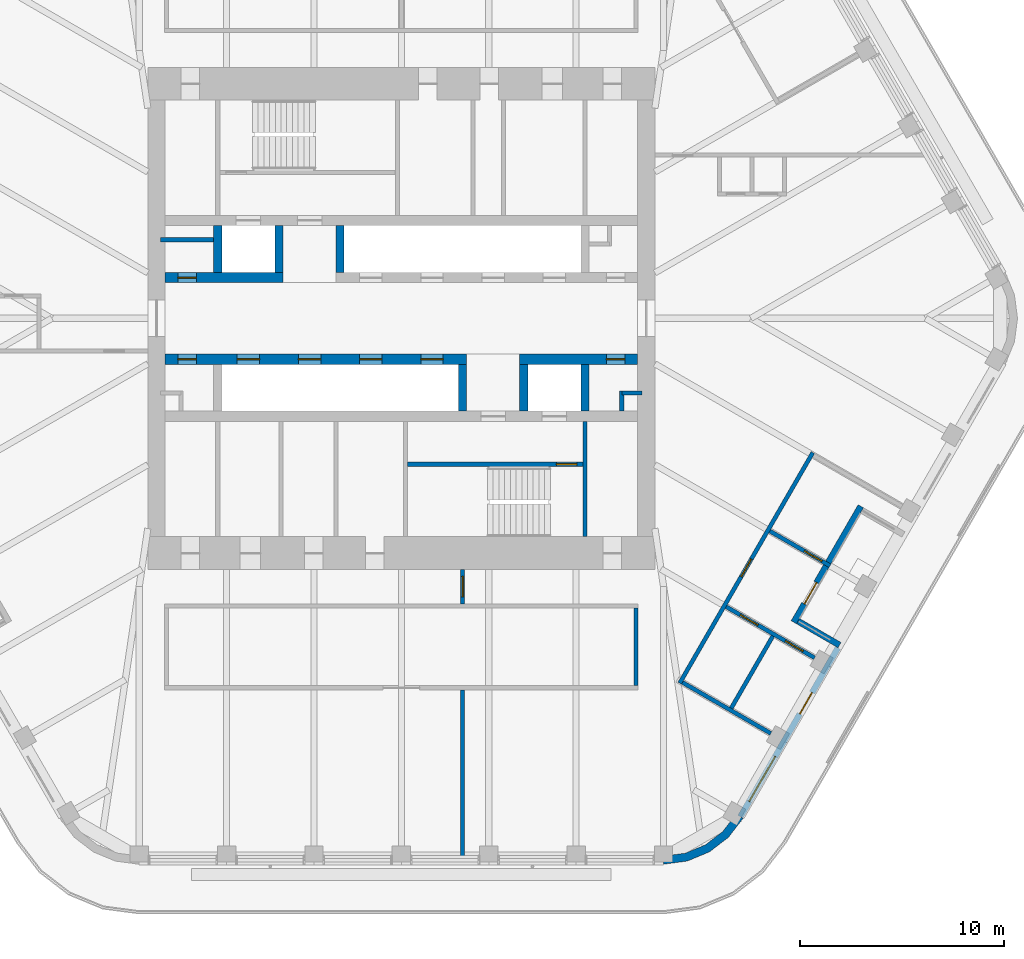
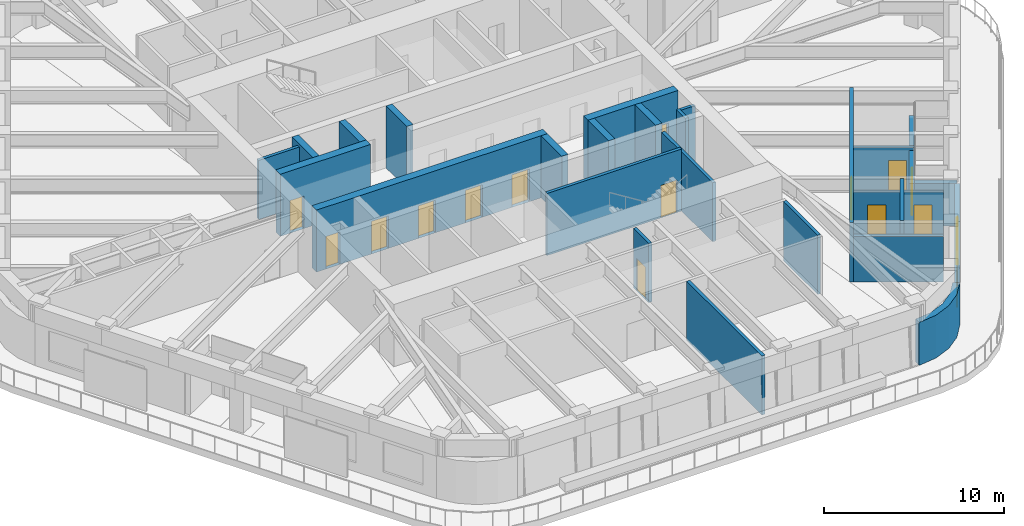
# One storey, part 14 of 19: 26 walls, 15 doors, 1 window, 16 openings.
"""IFC4 building model written with IfcOpenShell, lengths in metres."""

from ifc_helpers import new_model, si_unit, direction, frame, frame_2d, origin, place, context, subcontext, project, spatial, polyline, rectangle, outline, extrude, material, layer, layer_set, type_object, element, fill, save


model = new_model("IFC4")

# Units and contexts
model_context = context("Model", 3, precision=1e-05, world=origin(), true_north=direction((0.0, 1.0)))
body_context = subcontext(model_context, "Body", "Model", "MODEL_VIEW")
ifc_project = project(units=[si_unit("LENGTHUNIT", "METRE"), si_unit("AREAUNIT", "SQUARE_METRE"), si_unit("VOLUMEUNIT", "CUBIC_METRE"), si_unit("PLANEANGLEUNIT", "RADIAN"), si_unit("MASSUNIT", "GRAM", prefix="KILO")], contexts=[model_context])

# Site, building, storey
site_placement = place(None, origin())
site = spatial("IfcSite", under=ifc_project, at=site_placement, CompositionType="ELEMENT")
building_placement = place(site_placement, origin())
building = spatial("IfcBuilding", under=site, at=building_placement, Name="Tarfa Lantern Tower", CompositionType="ELEMENT")
storey_placement = place(building_placement, frame((0.0, 0.0, 357.699951171875)))
storey = spatial("IfcBuildingStorey", under=building, at=storey_placement, Name="L81", CompositionType="ELEMENT", Elevation=357.699951171875)

# Wall, openings, door, window
ifc_material_1 = material(Name="Limestone cladding on blockwork", Category="masonry")
ifc_layer_1 = layer(ifc_material_1, 0.300048828125)
ifc_layer_set_1 = layer_set([ifc_layer_1], Name="EW1 STONE-CLAD WALL 300")
wall_type_1 = type_object("IfcWallType", Name="EW1 STONE-CLAD WALL 300", PredefinedType="SOLIDWALL", material=ifc_layer_set_1)
wall_1_placement = place(storey_placement, frame((16.61328125, -24.425048828125, 0.0), z_axis=(0.0, 0.0, 1.0), x_axis=(0.499996453679, 0.866027451244, 0.0)))
wall_1 = element("IfcWall", 1, at=wall_1_placement, inside=storey, type_object=wall_type_1, Name="Stone wall SE", PredefinedType="SOLIDWALL", context=body_context, shape_type="SweptSolid", body=[
    extrude(rectangle(XDim=9.56396484375, YDim=0.300048828125, at=frame_2d((4.781982421875, 0.0))), origin(), (0.0, 0.0, 1.0), 2.900146484375),
])
opening_1_placement = place(wall_1_placement, frame((0.865966796875, 0.0, 0.60009765625)))
opening_1 = element("IfcOpeningElement", 2, at=opening_1_placement, cuts=wall_1, Name="Opening W17", PredefinedType="OPENING", context=body_context, shape_type="SweptSolid", body=[
    extrude(rectangle(XDim=2.550048828125, YDim=2.050048828125, at=frame_2d((1.27490234375, 1.02490234375))), frame((0.0, 0.159912109375, 0.0), z_axis=(0.0, -1.0, 0.0), x_axis=(1.0, 0.0, 0.0)), (0.0, 0.0, 1.0), 0.320068359375),
])
opening_2_placement = place(wall_1_placement, frame((5.822998046875, 0.0, 0.0)))
opening_2 = element("IfcOpeningElement", 3, at=opening_2_placement, cuts=wall_1, Name="Opening D40", PredefinedType="OPENING", context=body_context, shape_type="SweptSolid", body=[
    extrude(rectangle(XDim=1.199951171875, YDim=2.39990234375, at=frame_2d((0.60009765625, 1.199951171875))), frame((0.0, 0.159912109375, 0.0), z_axis=(0.0, -1.0, 0.0), x_axis=(1.0, 0.0, 0.0)), (0.0, 0.0, 1.0), 0.320068359375),
])
ifc_material_2 = material(Name="Aluminium framed glazed door", Category="aluminium")
door_type_1 = type_object("IfcDoorType", Name="BE3 BALCONY DOOR 1200x2400", OperationType="SINGLE_SWING_RIGHT", PredefinedType="DOOR", material=ifc_material_2)
door_1_placement = place(opening_2_placement, origin())
door_1 = element("IfcDoor", 4, at=door_1_placement, inside=storey, type_object=door_type_1, Name="Balcony door SE", OperationType="SINGLE_SWING_LEFT", OverallHeight=2.39990234375, OverallWidth=1.199951171875, PredefinedType="DOOR", context=body_context, shape_type="SweptSolid", body=[
    extrude(rectangle(XDim=1.199951171875, YDim=2.39990234375, at=frame_2d((0.60009765625, 1.199951171875))), frame((0.0, 0.02490234375, 0.0), z_axis=(0.0, -1.0, 0.0), x_axis=(1.0, 0.0, 0.0)), (0.0, 0.0, 1.0), 0.050048828125),
])
fill(opening_2, door_1)
ifc_material_3 = material(Name="Aluminium frame, double glazed", Category="aluminium")
window_type = type_object("IfcWindowType", Name="W17 FULL-HEIGHT GLAZING 2550x2050", PartitioningType="SINGLE_PANEL", PredefinedType="WINDOW", material=ifc_material_3)
window_placement = place(opening_1_placement, origin())
window = element("IfcWindow", 5, at=window_placement, inside=storey, type_object=window_type, Name="Window SE 1", OverallHeight=2.050048828125, OverallWidth=2.550048828125, PartitioningType="SINGLE_PANEL", PredefinedType="WINDOW", context=body_context, shape_type="SweptSolid", body=[
    extrude(rectangle(XDim=2.550048828125, YDim=2.050048828125, at=frame_2d((1.27490234375, 1.02490234375))), frame((0.0, 0.030029296875, 0.0), z_axis=(0.0, -1.0, 0.0), x_axis=(1.0, 0.0, 0.0)), (0.0, 0.0, 1.0), 0.06005859375),
])
fill(opening_1, window)

# Wall
wall_2_placement = place(storey_placement, frame((21.47021484375, -16.012451171875, 0.0), z_axis=(0.0, 0.0, 1.0), x_axis=(-0.866016039709, 0.500016218704, 0.0)))
element("IfcWall", 6, at=wall_2_placement, inside=storey, type_object=wall_type_1, Name="Terrace return SE 1", PredefinedType="SOLIDWALL", context=body_context, shape_type="SweptSolid", body=[
    extrude(rectangle(XDim=2.35009765625, YDim=0.300048828125, at=frame_2d((1.175048828125, 0.0))), origin(), (0.0, 0.0, 1.0), 2.900146484375),
])

# Wall, opening, door
wall_3_placement = place(storey_placement, frame((19.230224609375, -14.892333984375, 0.0), z_axis=(0.0, 0.0, 1.0), x_axis=(0.499999339774, 0.866025784966, 0.0)))
wall_3 = element("IfcWall", 7, at=wall_3_placement, inside=storey, type_object=wall_type_1, Name="Stone wall SES", PredefinedType="SOLIDWALL", context=body_context, shape_type="SweptSolid", body=[
    extrude(rectangle(XDim=6.56396484375, YDim=0.300048828125, at=frame_2d((3.281982421875, 0.0))), origin(), (0.0, 0.0, 1.0), 2.900146484375),
])
opening_3_placement = place(wall_3_placement, frame((1.041015625, 0.0, 0.0)))
opening_3 = element("IfcOpeningElement", 8, at=opening_3_placement, cuts=wall_3, Name="Opening D41", PredefinedType="OPENING", context=body_context, shape_type="SweptSolid", body=[
    extrude(rectangle(XDim=1.199951171875, YDim=2.39990234375, at=frame_2d((0.60009765625, 1.199951171875))), frame((0.0, 0.159912109375, 0.0), z_axis=(0.0, -1.0, 0.0), x_axis=(1.0, 0.0, 0.0)), (0.0, 0.0, 1.0), 0.320068359375),
])
door_2_placement = place(opening_3_placement, origin())
door_2 = element("IfcDoor", 9, at=door_2_placement, inside=storey, type_object=door_type_1, Name="Balcony door SES", OperationType="SINGLE_SWING_LEFT", OverallHeight=2.39990234375, OverallWidth=1.199951171875, PredefinedType="DOOR", context=body_context, shape_type="SweptSolid", body=[
    extrude(rectangle(XDim=1.199951171875, YDim=2.39990234375, at=frame_2d((0.60009765625, 1.199951171875))), frame((0.0, 0.02490234375, 0.0), z_axis=(0.0, -1.0, 0.0), x_axis=(1.0, 0.0, 0.0)), (0.0, 0.0, 1.0), 0.050048828125),
])
fill(opening_3, door_2)

# Walls
ifc_layer_2 = layer(ifc_material_1, 0.39990234375)
ifc_layer_set_2 = layer_set([ifc_layer_2], Name="EW2 CURVED STONE CORNER 400")
wall_type_2 = type_object("IfcWallType", Name="EW2 CURVED STONE CORNER 400", PredefinedType="SOLIDWALL", material=ifc_layer_set_2)
wall_4_placement = place(storey_placement, origin())
element("IfcWall", 10, at=wall_4_placement, inside=storey, type_object=wall_type_2, Name="Stone corner S-SE", PredefinedType="SOLIDWALL", context=body_context, shape_type="SweptSolid", body=[
    extrude(outline(polyline([(12.845947265625, -26.75), (14.0107421875, -26.5966796875), (15.095947265625, -26.147216796875), (16.028076171875, -25.431884765625), (16.7431640625, -24.5), (16.396728515625, -24.300048828125), (15.7451171875, -25.149169921875), (14.89599609375, -25.80078125), (13.9072265625, -26.210205078125), (12.845947265625, -26.35009765625), (12.845947265625, -26.75)])), origin(), (0.0, 0.0, 1.0), 2.900146484375),
])
ifc_material_4 = material(Name="Concrete blockwork", Category="masonry")
ifc_layer_3 = layer(ifc_material_4, 0.199951171875)
ifc_layer_set_3 = layer_set([ifc_layer_3], Name="IW1 BLOCKWORK PARTITION 200 EI 120")
wall_type_3 = type_object("IfcWallType", Name="IW1 BLOCKWORK PARTITION 200 EI 120", PredefinedType="PARTITIONING", material=ifc_layer_set_3)
wall_5_placement = place(storey_placement, frame((9.0, -5.050048828125, 0.0), z_axis=(0.0, 0.0, 1.0), x_axis=(0.0, -1.0, 0.0)))
element("IfcWall", 11, at=wall_5_placement, inside=storey, type_object=wall_type_3, Name="Core partition", PredefinedType="PARTITIONING", context=body_context, shape_type="SweptSolid", body=[
    extrude(rectangle(XDim=5.64990234375, YDim=0.199951171875, at=frame_2d((2.824951171875, 0.0))), origin(), (0.0, 0.0, 1.0), 4.0),
])
wall_6_placement = place(storey_placement, frame((-11.800048828125, 3.85009765625, 0.0), z_axis=(0.0, 0.0, 1.0), x_axis=(1.0, 0.0, 0.0)))
element("IfcWall", 12, at=wall_6_placement, inside=storey, type_object=wall_type_3, Name="Core partition", PredefinedType="PARTITIONING", context=body_context, shape_type="SweptSolid", body=[
    extrude(rectangle(XDim=2.60009765625, YDim=0.199951171875, at=frame_2d((1.300048828125, 0.0))), origin(), (0.0, 0.0, 1.0), 4.0),
])
for number, where, z_axis, x_axis, name in (
    (13, (11.800048828125, -3.64990234375, 0.0), (0.0, 0.0, 1.0), (-1.0, 0.0, 0.0), "Core partition"),
    (14, (10.800048828125, -3.550048828125, 0.0), (0.0, 0.0, 1.0), (0.0, -1.0, 0.0), "Core partition"),
):
    element("IfcWall", number, at=place(storey_placement, frame(where, z_axis=z_axis, x_axis=x_axis)), inside=storey, type_object=wall_type_3, Name=name, PredefinedType="PARTITIONING", context=body_context, shape_type="SweptSolid", body=[
        extrude(rectangle(XDim=1.0, YDim=0.199951171875, at=frame_2d((0.5, 0.0))), origin(), (0.0, 0.0, 1.0), 4.0),
    ])
ifc_material_5 = material(Name="Gypsum board on steel studs", Category="steel")
ifc_layer_4 = layer(ifc_material_5, 0.2099609375)
ifc_layer_set_4 = layer_set([ifc_layer_4], Name="IW2 ACOUSTIC PARTITION 200")
wall_type_4 = type_object("IfcWallType", Name="IW2 ACOUSTIC PARTITION 200", PredefinedType="PARTITIONING", material=ifc_layer_set_4)
wall_7_placement = place(storey_placement, frame((11.5, -14.199951171875, 0.0), z_axis=(0.0, 0.0, 1.0), x_axis=(0.0, -1.0, 0.0)))
element("IfcWall", 15, at=wall_7_placement, inside=storey, type_object=wall_type_4, Name="Partition", PredefinedType="PARTITIONING", context=body_context, shape_type="SweptSolid", body=[
    extrude(rectangle(XDim=3.800048828125, YDim=0.199951171875, at=frame_2d((1.89990234375, 0.0))), origin(), (0.0, 0.0, 1.0), 4.0),
])

# Wall, opening, door
wall_8_placement = place(storey_placement, frame((13.637939453125, -17.878173828125, 0.0), z_axis=(0.0, 0.0, 1.0), x_axis=(0.500013496215, 0.866017611601, 0.0)))
wall_8 = element("IfcWall", 16, at=wall_8_placement, inside=storey, type_object=wall_type_4, Name="Partition", PredefinedType="PARTITIONING", context=body_context, shape_type="SweptSolid", body=[
    extrude(rectangle(XDim=13.046142578125, YDim=0.199951171875, at=frame_2d((6.52294921875, 0.0))), origin(), (0.0, 0.0, 1.0), 4.0),
])
opening_4_placement = place(wall_8_placement, frame((6.02294921875, 0.0, 0.0)))
opening_4 = element("IfcOpeningElement", 17, at=opening_4_placement, cuts=wall_8, Name="Opening D23", PredefinedType="OPENING", context=body_context, shape_type="SweptSolid", body=[
    extrude(rectangle(XDim=1.0, YDim=2.199951171875, at=frame_2d((0.5, 1.10009765625))), frame((0.0, 0.10986328125, 0.0), z_axis=(0.0, -1.0, 0.0), x_axis=(1.0, 0.0, 0.0)), (0.0, 0.0, 1.0), 0.219970703125),
])
ifc_material_6 = material(Name="Timber door", Category="wood")
door_type_2 = type_object("IfcDoorType", Name="DR1 ROOM DOOR 1000x2200", OperationType="SINGLE_SWING_LEFT", PredefinedType="DOOR", material=ifc_material_6)
door_3_placement = place(opening_4_placement, frame((1.0, 0.0, 0.0), z_axis=(0.0, 0.0, 1.0), x_axis=(-1.0, 0.0, 0.0)))
door_3 = element("IfcDoor", 18, at=door_3_placement, inside=storey, type_object=door_type_2, Name="PA area door", OperationType="SINGLE_SWING_LEFT", OverallHeight=2.199951171875, OverallWidth=1.0, PredefinedType="DOOR", context=body_context, shape_type="SweptSolid", body=[
    extrude(rectangle(XDim=1.0, YDim=2.199951171875, at=frame_2d((0.5, 1.10009765625))), frame((0.0, 0.02490234375, 0.0), z_axis=(0.0, -1.0, 0.0), x_axis=(1.0, 0.0, 0.0)), (0.0, 0.0, 1.0), 0.050048828125),
])
fill(opening_4, door_3)

# Wall
wall_9_placement = place(storey_placement, frame((13.774658203125, -17.841552734375, 0.0), z_axis=(0.0, 0.0, 1.0), x_axis=(0.866022959057, -0.500004234368, 0.0)))
element("IfcWall", 19, at=wall_9_placement, inside=storey, type_object=wall_type_4, Name="Partition", PredefinedType="PARTITIONING", context=body_context, shape_type="SweptSolid", body=[
    extrude(rectangle(XDim=5.0, YDim=0.199951171875, at=frame_2d((2.5, 0.0))), origin(), (0.0, 0.0, 1.0), 3.08154296875),
])

# Wall, openings, doors
wall_10_placement = place(storey_placement, frame((15.91552734375, -14.13330078125, 0.0), z_axis=(0.0, 0.0, 1.0), x_axis=(0.866035165624, -0.499983091616, 0.0)))
wall_10 = element("IfcWall", 20, at=wall_10_placement, inside=storey, type_object=wall_type_4, Name="Partition", PredefinedType="PARTITIONING", context=body_context, shape_type="SweptSolid", body=[
    extrude(rectangle(XDim=5.000244140625, YDim=0.199951171875, at=frame_2d((2.5, 0.0))), origin(), (0.0, 0.0, 1.0), 3.08154296875),
])
opening_5_placement = place(wall_10_placement, frame((0.800048828125, 0.0, 0.0)))
opening_5 = element("IfcOpeningElement", 21, at=opening_5_placement, cuts=wall_10, Name="Opening D25", PredefinedType="OPENING", context=body_context, shape_type="SweptSolid", body=[
    extrude(rectangle(XDim=1.0, YDim=2.199951171875, at=frame_2d((0.5, 1.10009765625))), frame((0.0, 0.10986328125, 0.0), z_axis=(0.0, -1.0, 0.0), x_axis=(1.0, 0.0, 0.0)), (0.0, 0.0, 1.0), 0.219970703125),
])
opening_6_placement = place(wall_10_placement, frame((3.35009765625, 0.0, 0.0)))
opening_6 = element("IfcOpeningElement", 22, at=opening_6_placement, cuts=wall_10, Name="Opening D26", PredefinedType="OPENING", context=body_context, shape_type="SweptSolid", body=[
    extrude(rectangle(XDim=1.0, YDim=2.199951171875, at=frame_2d((0.5, 1.10009765625))), frame((0.0, 0.10986328125, 0.0), z_axis=(0.0, -1.0, 0.0), x_axis=(1.0, 0.0, 0.0)), (0.0, 0.0, 1.0), 0.219970703125),
])
door_4_placement = place(opening_5_placement, frame((1.0, 0.0, 0.0), z_axis=(0.0, 0.0, 1.0), x_axis=(-1.0, 0.0, 0.0)))
door_4 = element("IfcDoor", 23, at=door_4_placement, inside=storey, type_object=door_type_2, Name="Pantry door", OperationType="SINGLE_SWING_LEFT", OverallHeight=2.199951171875, OverallWidth=1.0, PredefinedType="DOOR", context=body_context, shape_type="SweptSolid", body=[
    extrude(rectangle(XDim=1.0, YDim=2.199951171875, at=frame_2d((0.5, 1.10009765625))), frame((0.0, 0.02490234375, 0.0), z_axis=(0.0, -1.0, 0.0), x_axis=(1.0, 0.0, 0.0)), (0.0, 0.0, 1.0), 0.050048828125),
])
fill(opening_5, door_4)
door_5_placement = place(opening_6_placement, frame((1.0, 0.0, 0.0), z_axis=(0.0, 0.0, 1.0), x_axis=(-1.0, 0.0, 0.0)))
door_5 = element("IfcDoor", 24, at=door_5_placement, inside=storey, type_object=door_type_2, Name="Private lounge door", OperationType="SINGLE_SWING_LEFT", OverallHeight=2.199951171875, OverallWidth=1.0, PredefinedType="DOOR", context=body_context, shape_type="SweptSolid", body=[
    extrude(rectangle(XDim=1.0, YDim=2.199951171875, at=frame_2d((0.5, 1.10009765625))), frame((0.0, 0.02490234375, 0.0), z_axis=(0.0, -1.0, 0.0), x_axis=(1.0, 0.0, 0.0)), (0.0, 0.0, 1.0), 0.050048828125),
])
fill(opening_6, door_5)

# Wall, opening, door
wall_11_placement = place(storey_placement, frame((18.056640625, -10.425048828125, 0.0), z_axis=(0.0, 0.0, 1.0), x_axis=(0.866030179784, -0.499991727635, 0.0)))
wall_11 = element("IfcWall", 25, at=wall_11_placement, inside=storey, type_object=wall_type_4, Name="Partition", PredefinedType="PARTITIONING", context=body_context, shape_type="SweptSolid", body=[
    extrude(rectangle(XDim=3.40087890625, YDim=0.199951171875, at=frame_2d((1.700439453125, 0.0))), origin(), (0.0, 0.0, 1.0), 3.08154296875),
])
opening_7_placement = place(wall_11_placement, frame((1.949951171875, 0.0, 0.0)))
opening_7 = element("IfcOpeningElement", 26, at=opening_7_placement, cuts=wall_11, Name="Opening D24", PredefinedType="OPENING", context=body_context, shape_type="SweptSolid", body=[
    extrude(rectangle(XDim=1.0, YDim=2.199951171875, at=frame_2d((0.5, 1.10009765625))), frame((0.0, 0.10986328125, 0.0), z_axis=(0.0, -1.0, 0.0), x_axis=(1.0, 0.0, 0.0)), (0.0, 0.0, 1.0), 0.219970703125),
])
door_6_placement = place(opening_7_placement, origin())
door_6 = element("IfcDoor", 27, at=door_6_placement, inside=storey, type_object=door_type_2, Name="Executive office door", OperationType="SINGLE_SWING_LEFT", OverallHeight=2.199951171875, OverallWidth=1.0, PredefinedType="DOOR", context=body_context, shape_type="SweptSolid", body=[
    extrude(rectangle(XDim=1.0, YDim=2.199951171875, at=frame_2d((0.5, 1.10009765625))), frame((0.0, 0.02490234375, 0.0), z_axis=(0.0, -1.0, 0.0), x_axis=(1.0, 0.0, 0.0)), (0.0, 0.0, 1.0), 0.050048828125),
])
fill(opening_7, door_6)

# Wall
wall_12_placement = place(storey_placement, frame((16.162841796875, -19.10498046875, 0.0), z_axis=(0.0, 0.0, 1.0), x_axis=(0.499998569178, 0.866026229868, 0.0)))
element("IfcWall", 28, at=wall_12_placement, inside=storey, type_object=wall_type_4, Name="Partition", PredefinedType="PARTITIONING", context=body_context, shape_type="SweptSolid", body=[
    extrude(rectangle(XDim=4.08203125, YDim=0.199951171875, at=frame_2d((2.041015625, 0.0))), origin(), (0.0, 0.0, 1.0), 4.0),
])

# Wall, opening, door
wall_13_placement = place(storey_placement, frame((3.0, -12.300048828125, 0.0), z_axis=(0.0, 0.0, 1.0), x_axis=(0.0, -1.0, 0.0)))
wall_13 = element("IfcWall", 29, at=wall_13_placement, inside=storey, type_object=wall_type_4, Name="Partition", PredefinedType="PARTITIONING", context=body_context, shape_type="SweptSolid", body=[
    extrude(rectangle(XDim=1.699951171875, YDim=0.199951171875, at=frame_2d((0.85009765625, 0.0))), origin(), (0.0, 0.0, 1.0), 4.0),
])
opening_8_placement = place(wall_13_placement, frame((0.35009765625, 0.0, 0.0)))
opening_8 = element("IfcOpeningElement", 30, at=opening_8_placement, cuts=wall_13, Name="Opening D36", PredefinedType="OPENING", context=body_context, shape_type="SweptSolid", body=[
    extrude(rectangle(XDim=1.0, YDim=2.199951171875, at=frame_2d((0.5, 1.10009765625))), frame((0.0, 0.10986328125, 0.0), z_axis=(0.0, -1.0, 0.0), x_axis=(1.0, 0.0, 0.0)), (0.0, 0.0, 1.0), 0.219970703125),
])
door_7_placement = place(opening_8_placement, frame((1.0, 0.0, 0.0), z_axis=(0.0, 0.0, 1.0), x_axis=(-1.0, 0.0, 0.0)))
door_7 = element("IfcDoor", 31, at=door_7_placement, inside=storey, type_object=door_type_2, Name="Zone door", OperationType="SINGLE_SWING_RIGHT", OverallHeight=2.199951171875, OverallWidth=1.0, PredefinedType="DOOR", context=body_context, shape_type="SweptSolid", body=[
    extrude(rectangle(XDim=1.0, YDim=2.199951171875, at=frame_2d((0.5, 1.10009765625))), frame((0.0, 0.02490234375, 0.0), z_axis=(0.0, -1.0, 0.0), x_axis=(1.0, 0.0, 0.0)), (0.0, 0.0, 1.0), 0.050048828125),
])
fill(opening_8, door_7)

# Wall
wall_14_placement = place(storey_placement, frame((3.0, -18.199951171875, 0.0), z_axis=(0.0, 0.0, 1.0), x_axis=(0.0, -1.0, 0.0)))
element("IfcWall", 32, at=wall_14_placement, inside=storey, type_object=wall_type_4, Name="Partition", PredefinedType="PARTITIONING", context=body_context, shape_type="SweptSolid", body=[
    extrude(rectangle(XDim=8.35009765625, YDim=0.199951171875, at=frame_2d((4.175048828125, 0.0))), origin(), (0.0, 0.0, 1.0), 4.0),
])

# Wall, opening, door
ifc_material_7 = material(Name="Concrete C80/95", Category="concrete")
ifc_layer_5 = layer(ifc_material_7, 0.199951171875)
ifc_layer_set_5 = layer_set([ifc_layer_5], Name="SW12 CORE WALL 200")
wall_type_5 = type_object("IfcWallType", Name="SW12 CORE WALL 200", PredefinedType="SHEAR", material=ifc_layer_set_5)
wall_15_placement = place(storey_placement, frame((8.89990234375, -7.14990234375, 0.0), z_axis=(0.0, 0.0, 1.0), x_axis=(-1.0, 0.0, 0.0)))
wall_15 = element("IfcWall", 33, at=wall_15_placement, inside=storey, type_object=wall_type_5, Name="Core wall stair partition S", PredefinedType="SHEAR", context=body_context, shape_type="SweptSolid", body=[
    extrude(rectangle(XDim=8.599853515625, YDim=0.199951171875, at=frame_2d((4.2998046875, 0.0))), origin(), (0.0, 0.0, 1.0), 4.199951171875),
])
opening_9_placement = place(wall_15_placement, frame((0.300048828125, 0.0, 0.0)))
opening_9 = element("IfcOpeningElement", 34, at=opening_9_placement, cuts=wall_15, Name="Opening D20", PredefinedType="OPENING", context=body_context, shape_type="SweptSolid", body=[
    extrude(rectangle(XDim=1.0, YDim=2.199951171875, at=frame_2d((0.5, 1.10009765625))), frame((0.0, 0.10986328125, 0.0), z_axis=(0.0, -1.0, 0.0), x_axis=(1.0, 0.0, 0.0)), (0.0, 0.0, 1.0), 0.219970703125),
])
ifc_material_8 = material(Name="Steel fire door", Category="steel")
door_type_3 = type_object("IfcDoorType", Name="DF2 STAIR DOOR 1000x2200", OperationType="SINGLE_SWING_LEFT", PredefinedType="DOOR", material=ifc_material_8)
door_8_placement = place(opening_9_placement, origin())
door_8 = element("IfcDoor", 35, at=door_8_placement, inside=storey, type_object=door_type_3, Name="Stair door", OperationType="SINGLE_SWING_RIGHT", OverallHeight=2.199951171875, OverallWidth=1.0, PredefinedType="DOOR", context=body_context, shape_type="SweptSolid", body=[
    extrude(rectangle(XDim=1.0, YDim=2.199951171875, at=frame_2d((0.5, 1.10009765625))), frame((0.0, 0.02490234375, 0.0), z_axis=(0.0, -1.0, 0.0), x_axis=(1.0, 0.0, 0.0)), (0.0, 0.0, 1.0), 0.050048828125),
])
fill(opening_9, door_8)

ifc_layer_6 = layer(ifc_material_7, 0.5)
ifc_layer_set_6 = layer_set([ifc_layer_6], Name="SW5 CORE WALL 500")
wall_type_6 = type_object("IfcWallType", Name="SW5 CORE WALL 500", PredefinedType="SHEAR", material=ifc_layer_set_6)
wall_16_placement = place(storey_placement, frame((-11.574951171875, 2.0, 0.0), z_axis=(0.0, 0.0, 1.0), x_axis=(1.0, 0.0, 0.0)))
wall_16 = element("IfcWall", 36, at=wall_16_placement, inside=storey, type_object=wall_type_6, Name="Core wall lobby west N", PredefinedType="SHEAR", context=body_context, shape_type="SweptSolid", body=[
    extrude(rectangle(XDim=5.77490234375, YDim=0.5, at=frame_2d((2.887451171875, 0.0))), origin(), (0.0, 0.0, 1.0), 4.199951171875),
])
opening_10_placement = place(wall_16_placement, frame((0.625, 0.0, 0.0)))
opening_10 = element("IfcOpeningElement", 37, at=opening_10_placement, cuts=wall_16, Name="Opening D11", PredefinedType="OPENING", context=body_context, shape_type="SweptSolid", body=[
    extrude(rectangle(XDim=0.89990234375, YDim=2.199951171875, at=frame_2d((0.449951171875, 1.10009765625))), frame((0.0, 0.260009765625, 0.0), z_axis=(0.0, -1.0, 0.0), x_axis=(1.0, 0.0, 0.0)), (0.0, 0.0, 1.0), 0.52001953125),
])
door_type_4 = type_object("IfcDoorType", Name="DF6 SERVICE ROOM DOOR 900x2200", OperationType="SINGLE_SWING_LEFT", PredefinedType="DOOR", material=ifc_material_8)
door_9_placement = place(opening_10_placement, origin())
door_9 = element("IfcDoor", 38, at=door_9_placement, inside=storey, type_object=door_type_4, Name="Service room door", OperationType="SINGLE_SWING_RIGHT", OverallHeight=2.199951171875, OverallWidth=0.89990234375, PredefinedType="DOOR", context=body_context, shape_type="SweptSolid", body=[
    extrude(rectangle(XDim=0.89990234375, YDim=2.199951171875, at=frame_2d((0.449951171875, 1.10009765625))), frame((0.0, 0.02490234375, 0.0), z_axis=(0.0, -1.0, 0.0), x_axis=(1.0, 0.0, 0.0)), (0.0, 0.0, 1.0), 0.050048828125),
])
fill(opening_10, door_9)

wall_17_placement = place(storey_placement, frame((11.574951171875, -2.0, 0.0), z_axis=(0.0, 0.0, 1.0), x_axis=(-1.0, 0.0, 0.0)))
wall_17 = element("IfcWall", 39, at=wall_17_placement, inside=storey, type_object=wall_type_6, Name="Core wall lobby west S", PredefinedType="SHEAR", context=body_context, shape_type="SweptSolid", body=[
    extrude(rectangle(XDim=5.77490234375, YDim=0.5, at=frame_2d((2.887451171875, 0.0))), origin(), (0.0, 0.0, 1.0), 4.199951171875),
])
opening_11_placement = place(wall_17_placement, frame((0.625, 0.0, 0.0)))
opening_11 = element("IfcOpeningElement", 40, at=opening_11_placement, cuts=wall_17, Name="Opening D12", PredefinedType="OPENING", context=body_context, shape_type="SweptSolid", body=[
    extrude(rectangle(XDim=0.89990234375, YDim=2.199951171875, at=frame_2d((0.449951171875, 1.10009765625))), frame((0.0, 0.260009765625, 0.0), z_axis=(0.0, -1.0, 0.0), x_axis=(1.0, 0.0, 0.0)), (0.0, 0.0, 1.0), 0.52001953125),
])
door_10_placement = place(opening_11_placement, origin())
door_10 = element("IfcDoor", 41, at=door_10_placement, inside=storey, type_object=door_type_4, Name="Service room door", OperationType="SINGLE_SWING_RIGHT", OverallHeight=2.199951171875, OverallWidth=0.89990234375, PredefinedType="DOOR", context=body_context, shape_type="SweptSolid", body=[
    extrude(rectangle(XDim=0.89990234375, YDim=2.199951171875, at=frame_2d((0.449951171875, 1.10009765625))), frame((0.0, 0.02490234375, 0.0), z_axis=(0.0, -1.0, 0.0), x_axis=(1.0, 0.0, 0.0)), (0.0, 0.0, 1.0), 0.050048828125),
])
fill(opening_11, door_10)

# Wall, openings, doors
wall_18_placement = place(storey_placement, frame((3.199951171875, -2.0, 0.0), z_axis=(0.0, 0.0, 1.0), x_axis=(-1.0, 0.0, 0.0)))
wall_18 = element("IfcWall", 42, at=wall_18_placement, inside=storey, type_object=wall_type_6, Name="Core wall lobby east S", PredefinedType="SHEAR", context=body_context, shape_type="SweptSolid", body=[
    extrude(rectangle(XDim=14.77490234375, YDim=0.5, at=frame_2d((7.387451171875, 0.0))), origin(), (0.0, 0.0, 1.0), 4.199951171875),
])
opening_12_placement = place(wall_18_placement, frame((13.25, 0.0, 0.0)))
opening_12 = element("IfcOpeningElement", 43, at=opening_12_placement, cuts=wall_18, Name="Opening D10", PredefinedType="OPENING", context=body_context, shape_type="SweptSolid", body=[
    extrude(rectangle(XDim=0.89990234375, YDim=2.199951171875, at=frame_2d((0.449951171875, 1.10009765625))), frame((0.0, 0.260009765625, 0.0), z_axis=(0.0, -1.0, 0.0), x_axis=(1.0, 0.0, 0.0)), (0.0, 0.0, 1.0), 0.52001953125),
])
opening_13_placement = place(wall_18_placement, frame((1.14990234375, 0.0, 0.0)))
opening_13 = element("IfcOpeningElement", 44, at=opening_13_placement, cuts=wall_18, Name="Opening LD07", PredefinedType="OPENING", context=body_context, shape_type="SweptSolid", body=[
    extrude(rectangle(XDim=1.10009765625, YDim=2.199951171875, at=frame_2d((0.550048828125, 1.10009765625))), frame((0.0, 0.260009765625, 0.0), z_axis=(0.0, -1.0, 0.0), x_axis=(1.0, 0.0, 0.0)), (0.0, 0.0, 1.0), 0.52001953125),
])
opening_14_placement = place(wall_18_placement, frame((4.14990234375, 0.0, 0.0)))
opening_14 = element("IfcOpeningElement", 45, at=opening_14_placement, cuts=wall_18, Name="Opening LD08", PredefinedType="OPENING", context=body_context, shape_type="SweptSolid", body=[
    extrude(rectangle(XDim=1.10009765625, YDim=2.199951171875, at=frame_2d((0.550048828125, 1.10009765625))), frame((0.0, 0.260009765625, 0.0), z_axis=(0.0, -1.0, 0.0), x_axis=(1.0, 0.0, 0.0)), (0.0, 0.0, 1.0), 0.52001953125),
])
opening_15_placement = place(wall_18_placement, frame((7.14990234375, 0.0, 0.0)))
opening_15 = element("IfcOpeningElement", 46, at=opening_15_placement, cuts=wall_18, Name="Opening LD09", PredefinedType="OPENING", context=body_context, shape_type="SweptSolid", body=[
    extrude(rectangle(XDim=1.10009765625, YDim=2.199951171875, at=frame_2d((0.550048828125, 1.10009765625))), frame((0.0, 0.260009765625, 0.0), z_axis=(0.0, -1.0, 0.0), x_axis=(1.0, 0.0, 0.0)), (0.0, 0.0, 1.0), 0.52001953125),
])
opening_16_placement = place(wall_18_placement, frame((10.14990234375, 0.0, 0.0)))
opening_16 = element("IfcOpeningElement", 47, at=opening_16_placement, cuts=wall_18, Name="Opening LD10", PredefinedType="OPENING", context=body_context, shape_type="SweptSolid", body=[
    extrude(rectangle(XDim=1.10009765625, YDim=2.199951171875, at=frame_2d((0.550048828125, 1.10009765625))), frame((0.0, 0.260009765625, 0.0), z_axis=(0.0, -1.0, 0.0), x_axis=(1.0, 0.0, 0.0)), (0.0, 0.0, 1.0), 0.52001953125),
])
door_11_placement = place(opening_12_placement, origin())
door_11 = element("IfcDoor", 48, at=door_11_placement, inside=storey, type_object=door_type_4, Name="Service room door", OperationType="SINGLE_SWING_LEFT", OverallHeight=2.199951171875, OverallWidth=0.89990234375, PredefinedType="DOOR", context=body_context, shape_type="SweptSolid", body=[
    extrude(rectangle(XDim=0.89990234375, YDim=2.199951171875, at=frame_2d((0.449951171875, 1.10009765625))), frame((0.0, 0.02490234375, 0.0), z_axis=(0.0, -1.0, 0.0), x_axis=(1.0, 0.0, 0.0)), (0.0, 0.0, 1.0), 0.050048828125),
])
fill(opening_12, door_11)
ifc_material_9 = material(Name="Stainless steel lift door", Category="steel")
door_type_5 = type_object("IfcDoorType", Name="LD2 LIFT LANDING DOOR 1100x2200", OperationType="SLIDING_TO_LEFT", PredefinedType="DOOR", material=ifc_material_9)
door_12_placement = place(opening_13_placement, frame((1.10009765625, 0.0, 0.0), z_axis=(0.0, 0.0, 1.0), x_axis=(-1.0, 0.0, 0.0)))
door_12 = element("IfcDoor", 49, at=door_12_placement, inside=storey, type_object=door_type_5, Name="Landing door PD5", OperationType="SLIDING_TO_LEFT", OverallHeight=2.199951171875, OverallWidth=1.10009765625, PredefinedType="DOOR", context=body_context, shape_type="SweptSolid", body=[
    extrude(rectangle(XDim=1.10009765625, YDim=2.199951171875, at=frame_2d((0.550048828125, 1.10009765625))), frame((0.0, 0.02490234375, 0.0), z_axis=(0.0, -1.0, 0.0), x_axis=(1.0, 0.0, 0.0)), (0.0, 0.0, 1.0), 0.050048828125),
])
fill(opening_13, door_12)
door_13_placement = place(opening_14_placement, frame((1.10009765625, 0.0, 0.0), z_axis=(0.0, 0.0, 1.0), x_axis=(-1.0, 0.0, 0.0)))
door_13 = element("IfcDoor", 50, at=door_13_placement, inside=storey, type_object=door_type_5, Name="Landing door PD6", OperationType="SLIDING_TO_LEFT", OverallHeight=2.199951171875, OverallWidth=1.10009765625, PredefinedType="DOOR", context=body_context, shape_type="SweptSolid", body=[
    extrude(rectangle(XDim=1.10009765625, YDim=2.199951171875, at=frame_2d((0.550048828125, 1.10009765625))), frame((0.0, 0.02490234375, 0.0), z_axis=(0.0, -1.0, 0.0), x_axis=(1.0, 0.0, 0.0)), (0.0, 0.0, 1.0), 0.050048828125),
])
fill(opening_14, door_13)
door_14_placement = place(opening_15_placement, frame((1.10009765625, 0.0, 0.0), z_axis=(0.0, 0.0, 1.0), x_axis=(-1.0, 0.0, 0.0)))
door_14 = element("IfcDoor", 51, at=door_14_placement, inside=storey, type_object=door_type_5, Name="Landing door PD7", OperationType="SLIDING_TO_LEFT", OverallHeight=2.199951171875, OverallWidth=1.10009765625, PredefinedType="DOOR", context=body_context, shape_type="SweptSolid", body=[
    extrude(rectangle(XDim=1.10009765625, YDim=2.199951171875, at=frame_2d((0.550048828125, 1.10009765625))), frame((0.0, 0.02490234375, 0.0), z_axis=(0.0, -1.0, 0.0), x_axis=(1.0, 0.0, 0.0)), (0.0, 0.0, 1.0), 0.050048828125),
])
fill(opening_15, door_14)
door_15_placement = place(opening_16_placement, frame((1.10009765625, 0.0, 0.0), z_axis=(0.0, 0.0, 1.0), x_axis=(-1.0, 0.0, 0.0)))
door_15 = element("IfcDoor", 52, at=door_15_placement, inside=storey, type_object=door_type_5, Name="Landing door PD8", OperationType="SLIDING_TO_LEFT", OverallHeight=2.199951171875, OverallWidth=1.10009765625, PredefinedType="DOOR", context=body_context, shape_type="SweptSolid", body=[
    extrude(rectangle(XDim=1.10009765625, YDim=2.199951171875, at=frame_2d((0.550048828125, 1.10009765625))), frame((0.0, 0.02490234375, 0.0), z_axis=(0.0, -1.0, 0.0), x_axis=(1.0, 0.0, 0.0)), (0.0, 0.0, 1.0), 0.050048828125),
])
fill(opening_16, door_15)

# Walls
ifc_layer_7 = layer(ifc_material_7, 0.39990234375)
ifc_layer_set_7 = layer_set([ifc_layer_7], Name="SW6 CORE WALL 400")
wall_type_7 = type_object("IfcWallType", Name="SW6 CORE WALL 400", PredefinedType="SHEAR", material=ifc_layer_set_7)
for number, where, z_axis, x_axis, name in (
    (53, (-9.0, 2.25, 0.0), (0.0, 0.0, 1.0), (0.0, 1.0, 0.0), "Core wall divider N"),
    (54, (-6.0, 2.25, 0.0), (0.0, 0.0, 1.0), (0.0, 1.0, 0.0), "Core wall divider N"),
    (55, (-3.0, 2.25, 0.0), (0.0, 0.0, 1.0), (0.0, 1.0, 0.0), "Core wall divider N"),
    (56, (9.0, -2.25, 0.0), (0.0, 0.0, 1.0), (0.0, -1.0, 0.0), "Core wall divider S"),
    (57, (6.0, -2.25, 0.0), (0.0, 0.0, 1.0), (0.0, -1.0, 0.0), "Core wall divider S"),
    (58, (3.0, -2.25, 0.0), (0.0, 0.0, 1.0), (0.0, -1.0, 0.0), "Core wall divider S"),
):
    element("IfcWall", number, at=place(storey_placement, frame(where, z_axis=z_axis, x_axis=x_axis)), inside=storey, type_object=wall_type_7, Name=name, PredefinedType="SHEAR", context=body_context, shape_type="SweptSolid", body=[
        extrude(rectangle(XDim=2.300048828125, YDim=0.39990234375, at=frame_2d((1.14990234375, 0.0))), origin(), (0.0, 0.0, 1.0), 4.199951171875),
    ])

save(model, "model.ifc")
